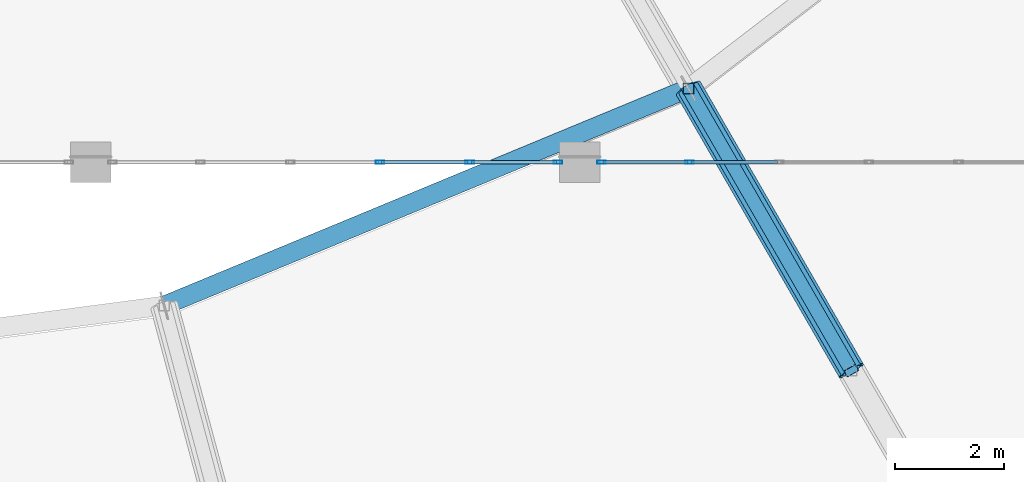
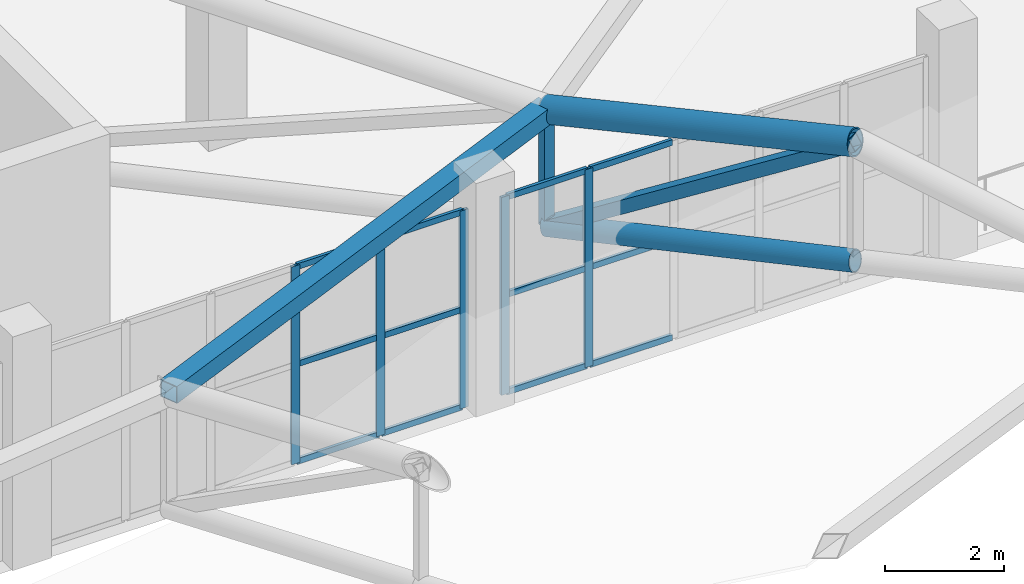
# One storey, part 33 of 167: 22 members, 2 elements without a shape of their own.
"""IFC4 building model written with IfcOpenShell, lengths in metres."""

from ifc_helpers import new_model, si_unit, direction, frame, origin, origin_2d, place, context, subcontext, project, spatial, hollow_rectangle, hollow_circle, extrude, material, layer, layer_set, material_profile, profile_set, type_object, element, aggregate, save


model = new_model("IFC4")

# Units and contexts
model_context = context("Model", 3, precision=1e-05, world=origin(), true_north=direction((0.0, 1.0)))
body_context = subcontext(model_context, "Body", "Model", "MODEL_VIEW")
ifc_project = project(units=[si_unit("LENGTHUNIT", "METRE"), si_unit("AREAUNIT", "SQUARE_METRE"), si_unit("VOLUMEUNIT", "CUBIC_METRE"), si_unit("PLANEANGLEUNIT", "RADIAN"), si_unit("MASSUNIT", "GRAM", prefix="KILO")], contexts=[model_context])

# Site, building, storey
site_placement = place(None, origin())
site = spatial("IfcSite", under=ifc_project, at=site_placement, CompositionType="ELEMENT")
building_placement = place(site_placement, origin())
building = spatial("IfcBuilding", under=site, at=building_placement, Name="Dornveld Trade and Exhibition Forum", CompositionType="ELEMENT")
storey_placement = place(building_placement, frame((0.0, 0.0, 16.800048828125)))
storey = spatial("IfcBuildingStorey", under=building, at=storey_placement, Name="L03", CompositionType="ELEMENT", Elevation=16.800048828125)

# Curtain wall, members
ifc_material_1 = material(Name="Dark-bronze anodised aluminium and low-E glass", Category="aluminium")
ifc_layer_1 = layer(ifc_material_1, 0.14794921875)
ifc_layer_set_1 = layer_set([ifc_layer_1], Name="Dark-bronze anodised aluminium and low-E glass")
curtain_wall_type_1 = type_object("IfcCurtainWallType", Name="CW-SYS-02", PredefinedType="USERDEFINED", material=ifc_layer_set_1)
curtain_wall_1_placement = place(storey_placement, origin())
curtain_wall_1 = element("IfcCurtainWall", 1, at=curtain_wall_1_placement, inside=storey, type_object=curtain_wall_type_1, Name="L03 unitised curtain wall 56", ObjectType="UNITISED_CURTAIN_WALL", PredefinedType="USERDEFINED")
ifc_material_2 = material(Name="Dark-bronze anodised aluminium", Category="aluminium")
ifc_material_profile_1 = material_profile(ifc_material_2, hollow_rectangle(XDim=0.06005859375, YDim=0.159912109375, WallThickness=0.00390625, at=origin_2d()), Name="RHS 160x60x4")
ifc_profile_set_1 = profile_set([ifc_material_profile_1], Name="Dark-bronze anodised aluminium")
member_type_1 = type_object("IfcMemberType", Name="CW-MUL-160", PredefinedType="MULLION", material=ifc_profile_set_1)
member_1_placement = place(storey_placement, frame((131.32568359375, 45.0, -0.004150390625), z_axis=(0.0, 0.0, 1.0), x_axis=(0.0, 1.0, 0.0)))
member_1 = element("IfcMember", 2, at=member_1_placement, type_object=member_type_1, Name="CW-02 mullion 4", PredefinedType="MULLION", context=body_context, shape_type="SweptSolid", body=[
    extrude(hollow_rectangle(XDim=0.06005859375, YDim=0.159912109375, WallThickness=0.00390625, at=origin_2d()), origin(), (0.0, 0.0, 1.0), 4.064208984375),
])
member_2_placement = place(storey_placement, frame((132.977294921875, 45.0, -0.004150390625), z_axis=(0.0, 0.0, 1.0), x_axis=(0.0, 1.0, 0.0)))
member_2 = element("IfcMember", 3, at=member_2_placement, type_object=member_type_1, Name="CW-02 mullion 5", PredefinedType="MULLION", context=body_context, shape_type="SweptSolid", body=[
    extrude(hollow_rectangle(XDim=0.06005859375, YDim=0.159912109375, WallThickness=0.00390625, at=origin_2d()), origin(), (0.0, 0.0, 1.0), 4.064208984375),
])
member_3_placement = place(storey_placement, frame((134.59912109375, 45.0, -0.004150390625), z_axis=(0.0, 0.0, 1.0), x_axis=(0.0, 1.0, 0.0)))
member_3 = element("IfcMember", 4, at=member_3_placement, type_object=member_type_1, Name="CW-02 mullion 6", PredefinedType="MULLION", context=body_context, shape_type="SweptSolid", body=[
    extrude(hollow_rectangle(XDim=0.06005859375, YDim=0.159912109375, WallThickness=0.00390625, at=origin_2d()), origin(), (0.0, 0.0, 1.0), 4.064208984375),
])

ifc_material_3 = material(Name="Dark-bronze anodised aluminium and low-E glass", Category="aluminium")
ifc_layer_2 = layer(ifc_material_3, 0.15087890625)
ifc_layer_set_2 = layer_set([ifc_layer_2], Name="Dark-bronze anodised aluminium and low-E glass")
curtain_wall_type_2 = type_object("IfcCurtainWallType", Name="CW-SYS-03", PredefinedType="USERDEFINED", material=ifc_layer_set_2)
curtain_wall_2_placement = place(storey_placement, origin())
curtain_wall_2 = element("IfcCurtainWall", 5, at=curtain_wall_2_placement, inside=storey, type_object=curtain_wall_type_2, Name="L03 unitised curtain wall 57", ObjectType="UNITISED_CURTAIN_WALL", PredefinedType="USERDEFINED")
member_4_placement = place(storey_placement, frame((135.40087890625, 45.0, -0.004150390625), z_axis=(0.0, 0.0, 1.0), x_axis=(0.0, 1.0, 0.0)))
member_4 = element("IfcMember", 6, at=member_4_placement, type_object=member_type_1, Name="CW-03 mullion 1", PredefinedType="MULLION", context=body_context, shape_type="SweptSolid", body=[
    extrude(hollow_rectangle(XDim=0.06005859375, YDim=0.159912109375, WallThickness=0.00390625, at=origin_2d()), origin(), (0.0, 0.0, 1.0), 4.064208984375),
])
member_5_placement = place(storey_placement, frame((137.022705078125, 45.0, -0.004150390625), z_axis=(0.0, 0.0, 1.0), x_axis=(0.0, 1.0, 0.0)))
member_5 = element("IfcMember", 7, at=member_5_placement, type_object=member_type_1, Name="CW-03 mullion 2", PredefinedType="MULLION", context=body_context, shape_type="SweptSolid", body=[
    extrude(hollow_rectangle(XDim=0.06005859375, YDim=0.159912109375, WallThickness=0.00390625, at=origin_2d()), origin(), (0.0, 0.0, 1.0), 4.064208984375),
])

# Member
ifc_material_4 = material(Name="Dark-bronze anodised aluminium", Category="aluminium")
ifc_material_profile_2 = material_profile(ifc_material_4, hollow_rectangle(XDim=0.06005859375, YDim=0.1201171875, WallThickness=0.00390625, at=origin_2d()), Name="RHS 120x60x4")
ifc_profile_set_2 = profile_set([ifc_material_profile_2], Name="Dark-bronze anodised aluminium")
member_type_2 = type_object("IfcMemberType", Name="CW-TRN-120", PredefinedType="USERDEFINED", material=ifc_profile_set_2)
member_6_placement = place(storey_placement, frame((131.355712890625, 45.0, 0.02587890625), z_axis=(1.0, 0.0, 0.0), x_axis=(0.0, 1.0, 0.0)))
member_6 = element("IfcMember", 8, at=member_6_placement, type_object=member_type_2, Name="CW-02 transom 4.1", ObjectType="TRANSOM", PredefinedType="USERDEFINED", context=body_context, shape_type="SweptSolid", body=[
    extrude(hollow_rectangle(XDim=0.06005859375, YDim=0.1201171875, WallThickness=0.00390625, at=origin_2d()), origin(), (0.0, 0.0, 1.0), 1.591796875),
])

member_7_placement = place(storey_placement, frame((131.355712890625, 45.0, 2.02783203125), z_axis=(1.0, 0.0, 0.0), x_axis=(0.0, 1.0, 0.0)))
member_7 = element("IfcMember", 9, at=member_7_placement, type_object=member_type_2, Name="CW-02 transom 4.2", ObjectType="TRANSOM", PredefinedType="USERDEFINED", context=body_context, shape_type="SweptSolid", body=[
    extrude(hollow_rectangle(XDim=0.06005859375, YDim=0.1201171875, WallThickness=0.00390625, at=origin_2d()), origin(), (0.0, 0.0, 1.0), 1.591796875),
])

member_8_placement = place(storey_placement, frame((131.355712890625, 45.0, 4.030029296875), z_axis=(1.0, 0.0, 0.0), x_axis=(0.0, 1.0, 0.0)))
member_8 = element("IfcMember", 10, at=member_8_placement, type_object=member_type_2, Name="CW-02 transom 4.3", ObjectType="TRANSOM", PredefinedType="USERDEFINED", context=body_context, shape_type="SweptSolid", body=[
    extrude(hollow_rectangle(XDim=0.06005859375, YDim=0.1201171875, WallThickness=0.00390625, at=origin_2d()), origin(), (0.0, 0.0, 1.0), 1.591796875),
])

member_9_placement = place(storey_placement, frame((133.00732421875, 45.0, 0.02587890625), z_axis=(1.0, 0.0, 0.0), x_axis=(0.0, 1.0, 0.0)))
member_9 = element("IfcMember", 11, at=member_9_placement, type_object=member_type_2, Name="CW-02 transom 5.1", ObjectType="TRANSOM", PredefinedType="USERDEFINED", context=body_context, shape_type="SweptSolid", body=[
    extrude(hollow_rectangle(XDim=0.06005859375, YDim=0.1201171875, WallThickness=0.00390625, at=origin_2d()), origin(), (0.0, 0.0, 1.0), 1.561767578125),
])

member_10_placement = place(storey_placement, frame((133.00732421875, 45.0, 2.02783203125), z_axis=(1.0, 0.0, 0.0), x_axis=(0.0, 1.0, 0.0)))
member_10 = element("IfcMember", 12, at=member_10_placement, type_object=member_type_2, Name="CW-02 transom 5.2", ObjectType="TRANSOM", PredefinedType="USERDEFINED", context=body_context, shape_type="SweptSolid", body=[
    extrude(hollow_rectangle(XDim=0.06005859375, YDim=0.1201171875, WallThickness=0.00390625, at=origin_2d()), origin(), (0.0, 0.0, 1.0), 1.561767578125),
])

member_11_placement = place(storey_placement, frame((133.00732421875, 45.0, 4.030029296875), z_axis=(1.0, 0.0, 0.0), x_axis=(0.0, 1.0, 0.0)))
member_11 = element("IfcMember", 13, at=member_11_placement, type_object=member_type_2, Name="CW-02 transom 5.3", ObjectType="TRANSOM", PredefinedType="USERDEFINED", context=body_context, shape_type="SweptSolid", body=[
    extrude(hollow_rectangle(XDim=0.06005859375, YDim=0.1201171875, WallThickness=0.00390625, at=origin_2d()), origin(), (0.0, 0.0, 1.0), 1.561767578125),
])

aggregate(curtain_wall_1, [member_1, member_2, member_3, member_6, member_7, member_8, member_9, member_10, member_11])

member_12_placement = place(storey_placement, frame((135.430908203125, 45.0, 0.02587890625), z_axis=(1.0, 0.0, 0.0), x_axis=(0.0, 1.0, 0.0)))
member_12 = element("IfcMember", 14, at=member_12_placement, type_object=member_type_2, Name="CW-03 transom 1.1", ObjectType="TRANSOM", PredefinedType="USERDEFINED", context=body_context, shape_type="SweptSolid", body=[
    extrude(hollow_rectangle(XDim=0.06005859375, YDim=0.1201171875, WallThickness=0.00390625, at=origin_2d()), origin(), (0.0, 0.0, 1.0), 1.561767578125),
])

member_13_placement = place(storey_placement, frame((135.430908203125, 45.0, 2.02783203125), z_axis=(1.0, 0.0, 0.0), x_axis=(0.0, 1.0, 0.0)))
member_13 = element("IfcMember", 15, at=member_13_placement, type_object=member_type_2, Name="CW-03 transom 1.2", ObjectType="TRANSOM", PredefinedType="USERDEFINED", context=body_context, shape_type="SweptSolid", body=[
    extrude(hollow_rectangle(XDim=0.06005859375, YDim=0.1201171875, WallThickness=0.00390625, at=origin_2d()), origin(), (0.0, 0.0, 1.0), 1.561767578125),
])

member_14_placement = place(storey_placement, frame((135.430908203125, 45.0, 4.030029296875), z_axis=(1.0, 0.0, 0.0), x_axis=(0.0, 1.0, 0.0)))
member_14 = element("IfcMember", 16, at=member_14_placement, type_object=member_type_2, Name="CW-03 transom 1.3", ObjectType="TRANSOM", PredefinedType="USERDEFINED", context=body_context, shape_type="SweptSolid", body=[
    extrude(hollow_rectangle(XDim=0.06005859375, YDim=0.1201171875, WallThickness=0.00390625, at=origin_2d()), origin(), (0.0, 0.0, 1.0), 1.561767578125),
])

member_15_placement = place(storey_placement, frame((137.052490234375, 45.0, 0.02587890625), z_axis=(1.0, 0.0, 0.0), x_axis=(0.0, 1.0, 0.0)))
member_15 = element("IfcMember", 17, at=member_15_placement, type_object=member_type_2, Name="CW-03 transom 2.1", ObjectType="TRANSOM", PredefinedType="USERDEFINED", context=body_context, shape_type="SweptSolid", body=[
    extrude(hollow_rectangle(XDim=0.06005859375, YDim=0.1201171875, WallThickness=0.00390625, at=origin_2d()), origin(), (0.0, 0.0, 1.0), 1.591796875),
])

member_16_placement = place(storey_placement, frame((137.052490234375, 45.0, 2.02783203125), z_axis=(1.0, 0.0, 0.0), x_axis=(0.0, 1.0, 0.0)))
member_16 = element("IfcMember", 18, at=member_16_placement, type_object=member_type_2, Name="CW-03 transom 2.2", ObjectType="TRANSOM", PredefinedType="USERDEFINED", context=body_context, shape_type="SweptSolid", body=[
    extrude(hollow_rectangle(XDim=0.06005859375, YDim=0.1201171875, WallThickness=0.00390625, at=origin_2d()), origin(), (0.0, 0.0, 1.0), 1.591796875),
])

member_17_placement = place(storey_placement, frame((137.052490234375, 45.0, 4.030029296875), z_axis=(1.0, 0.0, 0.0), x_axis=(0.0, 1.0, 0.0)))
member_17 = element("IfcMember", 19, at=member_17_placement, type_object=member_type_2, Name="CW-03 transom 2.3", ObjectType="TRANSOM", PredefinedType="USERDEFINED", context=body_context, shape_type="SweptSolid", body=[
    extrude(hollow_rectangle(XDim=0.06005859375, YDim=0.1201171875, WallThickness=0.00390625, at=origin_2d()), origin(), (0.0, 0.0, 1.0), 1.591796875),
])

aggregate(curtain_wall_2, [member_4, member_5, member_12, member_13, member_14, member_15, member_16, member_17])

# Members
ifc_material_5 = material(Name="Steel S355J2", Category="steel")
ifc_material_profile_3 = material_profile(ifc_material_5, hollow_circle(Radius=0.203125, WallThickness=0.02001953125, at=origin_2d()), Name="CHS 406.4x20")
ifc_profile_set_3 = profile_set([ifc_material_profile_3], Name="Steel S355J2")
member_type_3 = type_object("IfcMemberType", Name="MEM-DISC-BC", PredefinedType="CHORD", material=ifc_profile_set_3)
member_18_placement = place(storey_placement, frame((137.0, 46.35888671875, 2.07568359375), z_axis=(0.487601282714, -0.844532722982, 0.221380823263), x_axis=(0.866020924479, 0.500007758305, 0.0)))
element("IfcMember", 20, at=member_18_placement, inside=storey, type_object=member_type_3, Name="Roof disc radial R21 conical bottom chord 3", PredefinedType="CHORD", context=body_context, shape_type="SweptSolid", body=[
    extrude(hollow_circle(Radius=0.203125, WallThickness=0.02001953125, at=origin_2d()), origin(), (0.0, 0.0, 1.0), 6.152587890625),
])
ifc_material_6 = material(Name="Steel S355J2", Category="steel")
ifc_material_profile_4 = material_profile(ifc_material_6, hollow_rectangle(XDim=0.35009765625, YDim=0.35009765625, WallThickness=0.01611328125, at=origin_2d()), Name="SHS 350x350x16")
ifc_profile_set_4 = profile_set([ifc_material_profile_4], Name="Steel S355J2")
member_type_4 = type_object("IfcMemberType", Name="MEM-DISC-RING", PredefinedType="CHORD", material=ifc_profile_set_4)
member_19_placement = place(storey_placement, frame((127.352783203125, 42.363037109375, 4.449951171875), z_axis=(0.923884896561, 0.382670482146, 0.0), x_axis=(-0.382670482146, 0.923884896561, 0.0)))
element("IfcMember", 21, at=member_19_placement, inside=storey, type_object=member_type_4, Name="Roof disc ring 3 chord 20", PredefinedType="CHORD", context=body_context, shape_type="SweptSolid", body=[
    extrude(hollow_rectangle(XDim=0.35009765625, YDim=0.35009765625, WallThickness=0.01611328125, at=origin_2d()), origin(), (0.0, 0.0, 1.0), 10.44189453125),
])
ifc_material_7 = material(Name="Steel S355J2", Category="steel")
ifc_material_profile_5 = material_profile(ifc_material_7, hollow_rectangle(XDim=0.199951171875, YDim=0.199951171875, WallThickness=0.010009765625, at=origin_2d()), Name="SHS 200x200x10")
ifc_profile_set_5 = profile_set([ifc_material_profile_5], Name="Steel S355J2")
member_type_5 = type_object("IfcMemberType", Name="MEM-DISC-STR", PredefinedType="STRUT", material=ifc_profile_set_5)
member_20_placement = place(storey_placement, frame((137.0, 46.35888671875, 2.07568359375), z_axis=(0.0, 0.0, 1.0), x_axis=(1.0, 0.0, 0.0)))
element("IfcMember", 22, at=member_20_placement, inside=storey, type_object=member_type_5, Name="Roof disc radial R21 strut 3", PredefinedType="STRUT", context=body_context, shape_type="SweptSolid", body=[
    extrude(hollow_rectangle(XDim=0.199951171875, YDim=0.199951171875, WallThickness=0.010009765625, at=origin_2d()), origin(), (0.0, 0.0, 1.0), 2.374267578125),
])
ifc_material_8 = material(Name="Steel S355J2", Category="steel")
ifc_material_profile_6 = material_profile(ifc_material_8, hollow_circle(Radius=0.25390625, WallThickness=0.02490234375, at=origin_2d()), Name="CHS 508x25")
ifc_profile_set_6 = profile_set([ifc_material_profile_6], Name="Steel S355J2")
member_type_6 = type_object("IfcMemberType", Name="MEM-DISC-TC", PredefinedType="CHORD", material=ifc_profile_set_6)
member_21_placement = place(storey_placement, frame((137.0, 46.35888671875, 4.449951171875), z_axis=(0.486474530565, -0.842581171387, 0.231083319898), x_axis=(0.866020924479, 0.500007758305, 0.0)))
element("IfcMember", 23, at=member_21_placement, inside=storey, type_object=member_type_6, Name="Roof disc radial R21 top chord 3", PredefinedType="CHORD", context=body_context, shape_type="SweptSolid", body=[
    extrude(hollow_circle(Radius=0.25390625, WallThickness=0.02490234375, at=origin_2d()), origin(), (0.0, 0.0, 1.0), 6.166748046875),
])
ifc_material_9 = material(Name="Steel S355J2", Category="steel")
ifc_material_profile_7 = material_profile(ifc_material_9, hollow_rectangle(XDim=0.25, YDim=0.25, WallThickness=0.012451171875, at=origin_2d()), Name="SHS 250x250x12.5")
ifc_profile_set_7 = profile_set([ifc_material_profile_7], Name="Steel S355J2")
member_type_7 = type_object("IfcMemberType", Name="MEM-DISC-WEB", PredefinedType="BRACE", material=ifc_profile_set_7)
member_22_placement = place(storey_placement, frame((137.0, 46.35888671875, 2.07568359375), z_axis=(0.422435970228, -0.731665425973, 0.534989304092), x_axis=(0.866020924479, 0.500007758305, 0.0)))
element("IfcMember", 24, at=member_22_placement, inside=storey, type_object=member_type_7, Name="Roof disc radial R21 web 3", PredefinedType="BRACE", context=body_context, shape_type="SweptSolid", body=[
    extrude(hollow_rectangle(XDim=0.25, YDim=0.25, WallThickness=0.012451171875, at=origin_2d()), origin(), (0.0, 0.0, 1.0), 7.1015625),
])

save(model, "model.ifc")
